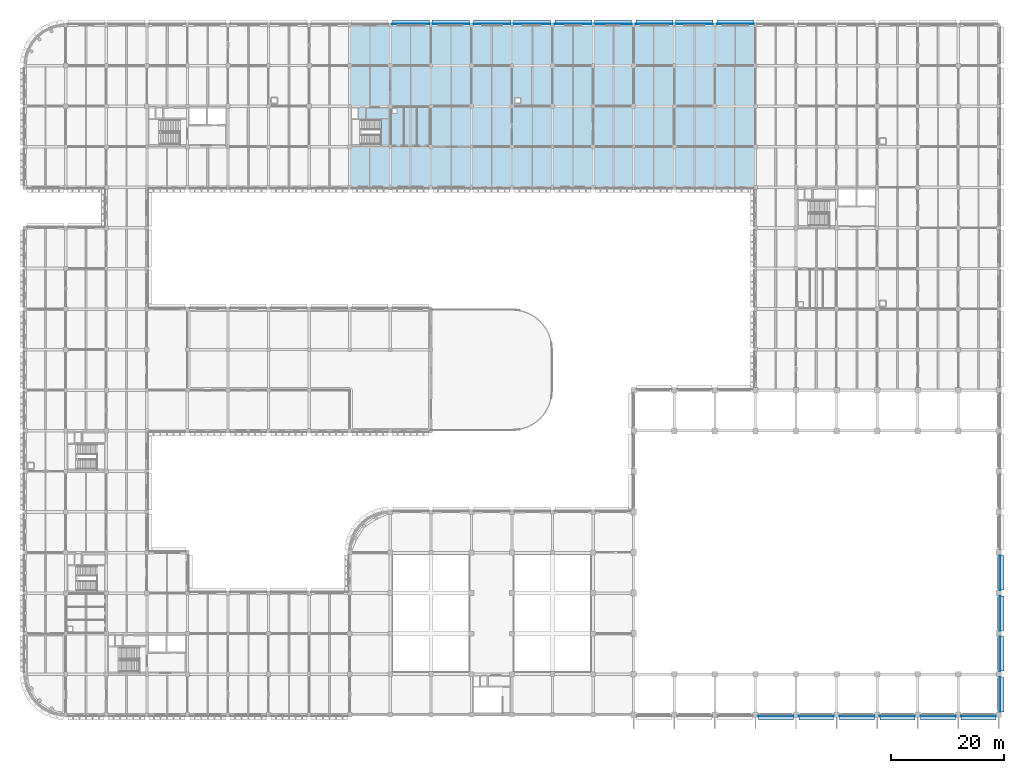
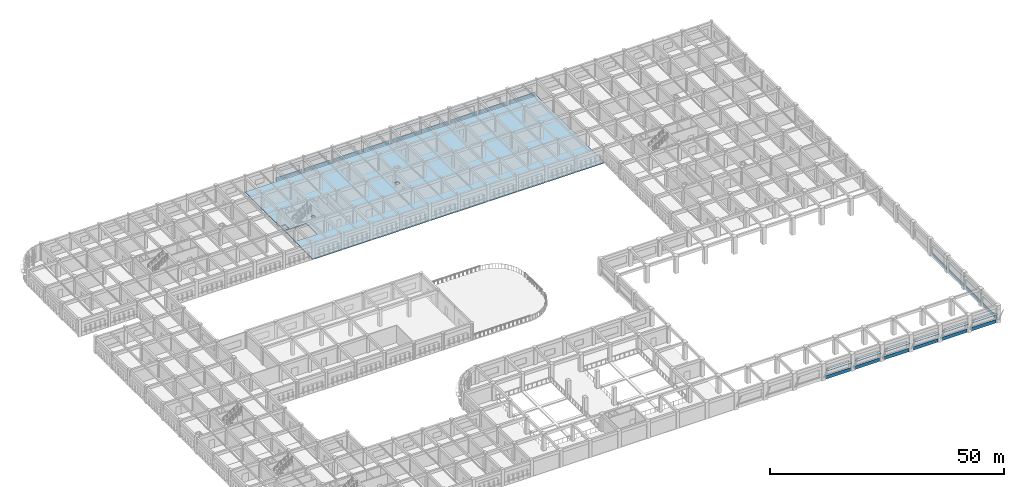
# One storey, part 30 of 61: 38 plates, 1 slab.
"""IFC4 building model written with IfcOpenShell, lengths in metres."""

from ifc_helpers import new_model, si_unit, direction, frame, origin, origin_2d, place, context, subcontext, project, spatial, polyline, rectangle, outline, extrude, material, layer, layer_set, type_object, element, save


model = new_model("IFC4")

# Units and contexts
model_context = context("Model", 3, precision=1e-05, world=origin(), true_north=direction((0.0, 1.0)))
body_context = subcontext(model_context, "Body", "Model", "MODEL_VIEW")
ifc_project = project(units=[si_unit("LENGTHUNIT", "METRE"), si_unit("AREAUNIT", "SQUARE_METRE"), si_unit("VOLUMEUNIT", "CUBIC_METRE"), si_unit("PLANEANGLEUNIT", "RADIAN"), si_unit("MASSUNIT", "GRAM", prefix="KILO")], contexts=[model_context])

# Site, building, storey
site_placement = place(None, origin())
site = spatial("IfcSite", under=ifc_project, at=site_placement, CompositionType="ELEMENT")
building_placement = place(site_placement, origin())
building = spatial("IfcBuilding", under=site, at=building_placement, Name="Thalmaran Polytechnic", CompositionType="ELEMENT")
storey_placement = place(building_placement, frame((0.0, 0.0, 9.89990234375)))
storey = spatial("IfcBuildingStorey", under=building, at=storey_placement, Name="L02", CompositionType="ELEMENT", Elevation=9.89990234375)

# Plates
ifc_material_1 = material(Name="Anodised aluminium spandrel band", Category="aluminium")
ifc_layer_1 = layer(ifc_material_1, 0.054931640625, Name="Anodised aluminium spandrel band")
ifc_layer_set_1 = layer_set([ifc_layer_1], Name="Anodised aluminium spandrel band")
plate_type_1 = type_object("IfcPlateType", Name="PT-BD01", PredefinedType="SHEET", material=ifc_layer_set_1)
for number, where, z_axis, x_axis, name in (
    (1, (68.47998046875, 122.580078125, 0.020263671875), (0.0, 0.0, 1.0), (1.0, 0.0, 0.0), "Streamline Horizontal Spandrel Band L02-037"),
    (2, (75.52001953125, 122.580078125, 0.020263671875), (0.0, 0.0, 1.0), (1.0, 0.0, 0.0), "Streamline Horizontal Spandrel Band L02-038"),
    (3, (82.8798828125, 122.580078125, 0.020263671875), (0.0, 0.0, 1.0), (1.0, 0.0, 0.0), "Streamline Horizontal Spandrel Band L02-039"),
    (4, (89.919921875, 122.580078125, 0.020263671875), (0.0, 0.0, 1.0), (1.0, 0.0, 0.0), "Streamline Horizontal Spandrel Band L02-040"),
    (5, (97.280029296875, 122.580078125, 0.020263671875), (0.0, 0.0, 1.0), (1.0, 0.0, 0.0), "Streamline Horizontal Spandrel Band L02-041"),
    (6, (104.320068359375, 122.580078125, 0.020263671875), (0.0, 0.0, 1.0), (1.0, 0.0, 0.0), "Streamline Horizontal Spandrel Band L02-042"),
    (7, (111.679931640625, 122.580078125, 0.020263671875), (0.0, 0.0, 1.0), (1.0, 0.0, 0.0), "Streamline Horizontal Spandrel Band L02-043"),
    (8, (118.719970703125, 122.580078125, 0.020263671875), (0.0, 0.0, 1.0), (1.0, 0.0, 0.0), "Streamline Horizontal Spandrel Band L02-044"),
    (9, (126.080078125, 122.580078125, 0.020263671875), (0.0, 0.0, 1.0), (1.0, 0.0, 0.0), "Streamline Horizontal Spandrel Band L02-045"),
):
    element("IfcPlate", number, at=place(storey_placement, frame(where, z_axis=z_axis, x_axis=x_axis)), inside=storey, type_object=plate_type_1, Name=name, PredefinedType="SHEET", context=body_context, shape_type="SweptSolid", body=[
        extrude(rectangle(XDim=6.60009765625, YDim=0.054931640625, at=origin_2d()), origin(), (0.0, 0.0, 1.0), 0.8798828125),
    ])
for number, where, z_axis, x_axis, name in (
    (10, (172.97998046875, 25.199951171875, 0.020263671875), (0.0, 0.0, 1.0), (0.0, -1.0, 0.0), "Streamline Horizontal Spandrel Band L02-065"),
    (11, (172.97998046875, 18.0, 0.020263671875), (0.0, 0.0, 1.0), (0.0, -1.0, 0.0), "Streamline Horizontal Spandrel Band L02-066"),
    (12, (172.97998046875, 10.800048828125, 0.020263671875), (0.0, 0.0, 1.0), (0.0, -1.0, 0.0), "Streamline Horizontal Spandrel Band L02-067"),
):
    element("IfcPlate", number, at=place(storey_placement, frame(where, z_axis=z_axis, x_axis=x_axis)), inside=storey, type_object=plate_type_1, Name=name, PredefinedType="SHEET", context=body_context, shape_type="SweptSolid", body=[
        extrude(rectangle(XDim=6.110107421875, YDim=0.054931640625, at=origin_2d()), origin(), (0.0, 0.0, 1.0), 0.8798828125),
    ])
plate_1_placement = place(storey_placement, frame((172.97998046875, 3.58740234375, 0.020263671875), z_axis=(0.0, 0.0, 1.0), x_axis=(0.0, -1.0, 0.0)))
element("IfcPlate", 13, at=plate_1_placement, inside=storey, type_object=plate_type_1, Name="Streamline Horizontal Spandrel Band L02-068", PredefinedType="SHEET", context=body_context, shape_type="SweptSolid", body=[
    extrude(rectangle(XDim=6.135009765625, YDim=0.054931640625, at=origin_2d()), origin(), (0.0, 0.0, 1.0), 0.8798828125),
])
for number, where, z_axis, x_axis, name in (
    (14, (169.1875, -0.195068359375, 0.020263671875), (0.0, 0.0, 1.0), (-1.0, 0.0, 0.0), "Streamline Horizontal Spandrel Band L02-069"),
    (15, (162.012451171875, -0.195068359375, 0.020263671875), (0.0, 0.0, 1.0), (-1.0, 0.0, 0.0), "Streamline Horizontal Spandrel Band L02-070"),
    (16, (154.78759765625, -0.195068359375, 0.020263671875), (0.0, 0.0, 1.0), (-1.0, 0.0, 0.0), "Streamline Horizontal Spandrel Band L02-071"),
    (17, (147.612548828125, -0.195068359375, 0.020263671875), (0.0, 0.0, 1.0), (-1.0, 0.0, 0.0), "Streamline Horizontal Spandrel Band L02-072"),
    (18, (140.387451171875, -0.195068359375, 0.020263671875), (0.0, 0.0, 1.0), (-1.0, 0.0, 0.0), "Streamline Horizontal Spandrel Band L02-073"),
    (19, (133.21240234375, -0.195068359375, 0.020263671875), (0.0, 0.0, 1.0), (-1.0, 0.0, 0.0), "Streamline Horizontal Spandrel Band L02-074"),
):
    element("IfcPlate", number, at=place(storey_placement, frame(where, z_axis=z_axis, x_axis=x_axis)), inside=storey, type_object=plate_type_1, Name=name, PredefinedType="SHEET", context=body_context, shape_type="SweptSolid", body=[
        extrude(rectangle(XDim=6.18505859375, YDim=0.054931640625, at=origin_2d()), origin(), (0.0, 0.0, 1.0), 0.8798828125),
    ])
ifc_material_2 = material(Name="Anodised aluminium sun-hood eyebrow", Category="aluminium")
ifc_layer_2 = layer(ifc_material_2, 0.0849609375, Name="Anodised aluminium sun-hood eyebrow")
ifc_layer_set_2 = layer_set([ifc_layer_2], Name="Anodised aluminium sun-hood eyebrow")
plate_type_2 = type_object("IfcPlateType", Name="PT-EB01", PredefinedType="SHEET", material=ifc_layer_set_2)
for number, where, z_axis, x_axis, name in (
    (20, (68.47998046875, 122.925048828125, 2.517578125), (0.0, 0.0, 1.0), (1.0, 0.0, 0.0), "Streamline Sun-Hood Eyebrow L02-037"),
    (21, (75.52001953125, 122.925048828125, 2.517578125), (0.0, 0.0, 1.0), (1.0, 0.0, 0.0), "Streamline Sun-Hood Eyebrow L02-038"),
    (22, (82.8798828125, 122.925048828125, 2.517578125), (0.0, 0.0, 1.0), (1.0, 0.0, 0.0), "Streamline Sun-Hood Eyebrow L02-039"),
    (23, (89.919921875, 122.925048828125, 2.517578125), (0.0, 0.0, 1.0), (1.0, 0.0, 0.0), "Streamline Sun-Hood Eyebrow L02-040"),
    (24, (97.280029296875, 122.925048828125, 2.517578125), (0.0, 0.0, 1.0), (1.0, 0.0, 0.0), "Streamline Sun-Hood Eyebrow L02-041"),
    (25, (104.320068359375, 122.925048828125, 2.517578125), (0.0, 0.0, 1.0), (1.0, 0.0, 0.0), "Streamline Sun-Hood Eyebrow L02-042"),
    (26, (111.679931640625, 122.925048828125, 2.517578125), (0.0, 0.0, 1.0), (1.0, 0.0, 0.0), "Streamline Sun-Hood Eyebrow L02-043"),
    (27, (118.719970703125, 122.925048828125, 2.517578125), (0.0, 0.0, 1.0), (1.0, 0.0, 0.0), "Streamline Sun-Hood Eyebrow L02-044"),
    (28, (126.080078125, 122.925048828125, 2.517578125), (0.0, 0.0, 1.0), (1.0, 0.0, 0.0), "Streamline Sun-Hood Eyebrow L02-045"),
):
    element("IfcPlate", number, at=place(storey_placement, frame(where, z_axis=z_axis, x_axis=x_axis)), inside=storey, type_object=plate_type_2, Name=name, PredefinedType="SHEET", context=body_context, shape_type="SweptSolid", body=[
        extrude(rectangle(XDim=6.60009765625, YDim=0.760009765625, at=origin_2d()), origin(), (0.0, 0.0, 1.0), 0.0849609375),
    ])
for number, where, z_axis, x_axis, name in (
    (29, (173.324951171875, 25.199951171875, 2.517578125), (0.0, 0.0, 1.0), (0.0, -1.0, 0.0), "Streamline Sun-Hood Eyebrow L02-065"),
    (30, (173.324951171875, 18.0, 2.517578125), (0.0, 0.0, 1.0), (0.0, -1.0, 0.0), "Streamline Sun-Hood Eyebrow L02-066"),
    (31, (173.324951171875, 10.800048828125, 2.517578125), (0.0, 0.0, 1.0), (0.0, -1.0, 0.0), "Streamline Sun-Hood Eyebrow L02-067"),
):
    element("IfcPlate", number, at=place(storey_placement, frame(where, z_axis=z_axis, x_axis=x_axis)), inside=storey, type_object=plate_type_2, Name=name, PredefinedType="SHEET", context=body_context, shape_type="SweptSolid", body=[
        extrude(rectangle(XDim=6.110107421875, YDim=0.760009765625, at=origin_2d()), origin(), (0.0, 0.0, 1.0), 0.0849609375),
    ])
plate_2_placement = place(storey_placement, frame((173.324951171875, 3.58740234375, 2.517578125), z_axis=(0.0, 0.0, 1.0), x_axis=(0.0, -1.0, 0.0)))
element("IfcPlate", 32, at=plate_2_placement, inside=storey, type_object=plate_type_2, Name="Streamline Sun-Hood Eyebrow L02-068", PredefinedType="SHEET", context=body_context, shape_type="SweptSolid", body=[
    extrude(rectangle(XDim=6.135009765625, YDim=0.760009765625, at=origin_2d()), origin(), (0.0, 0.0, 1.0), 0.0849609375),
])
for number, where, z_axis, x_axis, name in (
    (33, (169.1875, -0.5400390625, 2.517578125), (0.0, 0.0, 1.0), (-1.0, 0.0, 0.0), "Streamline Sun-Hood Eyebrow L02-069"),
    (34, (162.012451171875, -0.5400390625, 2.517578125), (0.0, 0.0, 1.0), (-1.0, 0.0, 0.0), "Streamline Sun-Hood Eyebrow L02-070"),
    (35, (154.78759765625, -0.5400390625, 2.517578125), (0.0, 0.0, 1.0), (-1.0, 0.0, 0.0), "Streamline Sun-Hood Eyebrow L02-071"),
    (36, (147.612548828125, -0.5400390625, 2.517578125), (0.0, 0.0, 1.0), (-1.0, 0.0, 0.0), "Streamline Sun-Hood Eyebrow L02-072"),
    (37, (140.387451171875, -0.5400390625, 2.517578125), (0.0, 0.0, 1.0), (-1.0, 0.0, 0.0), "Streamline Sun-Hood Eyebrow L02-073"),
    (38, (133.21240234375, -0.5400390625, 2.517578125), (0.0, 0.0, 1.0), (-1.0, 0.0, 0.0), "Streamline Sun-Hood Eyebrow L02-074"),
):
    element("IfcPlate", number, at=place(storey_placement, frame(where, z_axis=z_axis, x_axis=x_axis)), inside=storey, type_object=plate_type_2, Name=name, PredefinedType="SHEET", context=body_context, shape_type="SweptSolid", body=[
        extrude(rectangle(XDim=6.18505859375, YDim=0.760009765625, at=origin_2d()), origin(), (0.0, 0.0, 1.0), 0.0849609375),
    ])

# Slab
ifc_material_3 = material(Name="Concrete C40/50", Category="concrete")
ifc_layer_3 = layer(ifc_material_3, 0.2900390625, Name="Concrete C40/50")
ifc_layer_set_3 = layer_set([ifc_layer_3], Name="Concrete C40/50")
slab_type = type_object("IfcSlabType", Name="SL-FL04", PredefinedType="FLOOR", material=ifc_layer_set_3)
slab_placement = place(storey_placement, frame((0.0, 0.0, -0.289794921875)))
element("IfcSlab", 39, at=slab_placement, inside=storey, type_object=slab_type, Name="V2E L02 Structural Slab", PredefinedType="FLOOR", context=body_context, shape_type="SweptSolid", body=[
    extrude(outline(polyline([(57.60009765625, 100.800048828125), (57.60009765625, 108.0), (57.60009765625, 115.199951171875), (57.60009765625, 122.39990234375), (64.800048828125, 122.39990234375), (72.0, 122.39990234375), (79.199951171875, 122.39990234375), (86.39990234375, 122.39990234375), (93.60009765625, 122.39990234375), (100.800048828125, 122.39990234375), (108.0, 122.39990234375), (115.199951171875, 122.39990234375), (122.39990234375, 122.39990234375), (129.60009765625, 122.39990234375), (129.60009765625, 115.199951171875), (129.60009765625, 108.0), (129.60009765625, 100.800048828125), (129.60009765625, 93.60009765625), (122.39990234375, 93.60009765625), (115.199951171875, 93.60009765625), (108.0, 93.60009765625), (100.800048828125, 93.60009765625), (93.60009765625, 93.60009765625), (86.39990234375, 93.60009765625), (79.199951171875, 93.60009765625), (72.0, 93.60009765625), (64.800048828125, 93.60009765625), (57.60009765625, 93.60009765625), (57.60009765625, 100.800048828125)]), holes=[polyline([(87.85009765625, 109.449951171875), (86.949951171875, 109.449951171875), (86.949951171875, 108.550048828125), (87.85009765625, 108.550048828125), (87.85009765625, 109.449951171875)]), polyline([(65.25, 107.530029296875), (65.25, 106.830078125), (65.949951171875, 106.830078125), (65.949951171875, 107.530029296875), (65.25, 107.530029296875)]), polyline([(63.1201171875, 101.050048828125), (63.1201171875, 105.639892578125), (57.85009765625, 105.639892578125), (57.85009765625, 101.050048828125), (63.1201171875, 101.050048828125)]), polyline([(58.0400390625, 105.93994140625), (58.9599609375, 105.93994140625), (58.9599609375, 107.56005859375), (58.0400390625, 107.56005859375), (58.0400390625, 105.93994140625)])]), origin(), (0.0, 0.0, 1.0), 0.289794921875),
])

save(model, "model.ifc")
